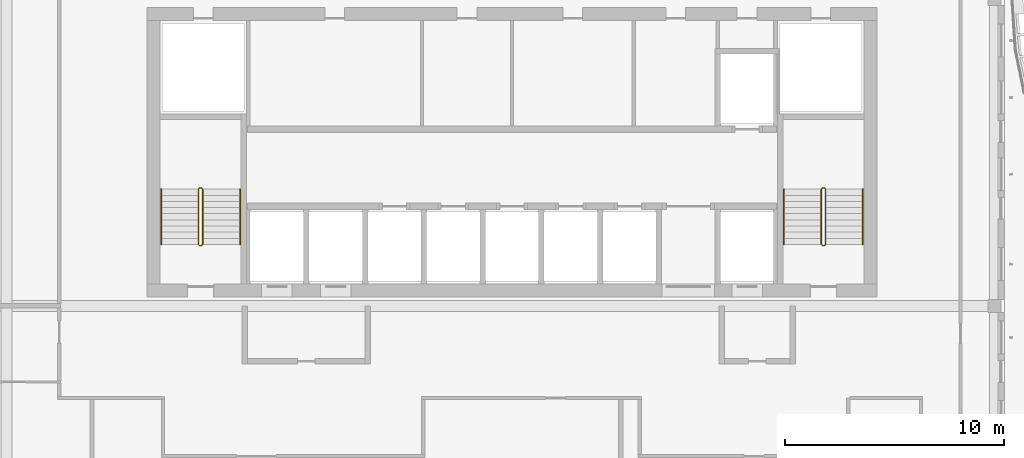
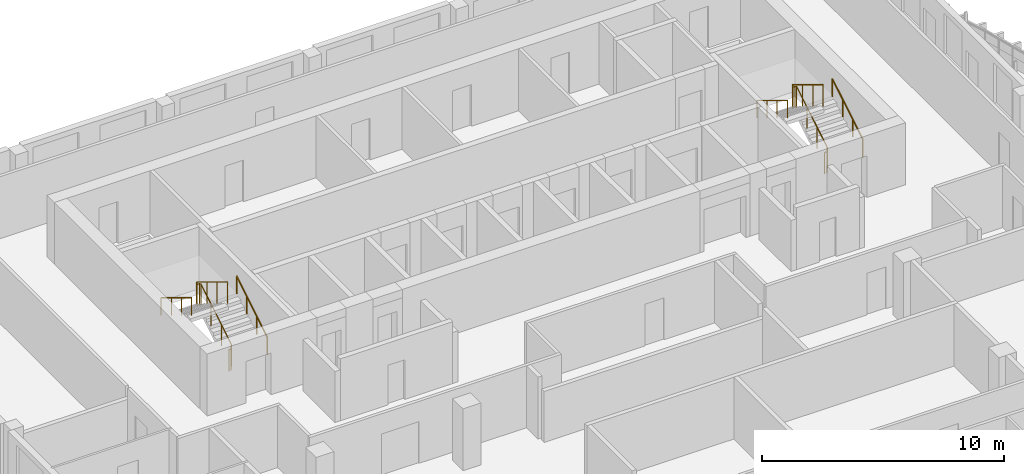
# One storey, part 16 of 17: 6 railings.
"""IFC4 building model written with IfcOpenShell, lengths in metres."""

from ifc_helpers import new_model, si_unit, direction, frame, origin, origin_2d, place, context, subcontext, project, spatial, circle, extrude, material, type_object, element, save


model = new_model("IFC4")

# Units and contexts
model_context = context("Model", 3, precision=1e-05, world=origin(), true_north=direction((0.0, 1.0)))
body_context = subcontext(model_context, "Body", "Model", "MODEL_VIEW")
ifc_project = project(units=[si_unit("LENGTHUNIT", "METRE"), si_unit("AREAUNIT", "SQUARE_METRE"), si_unit("VOLUMEUNIT", "CUBIC_METRE"), si_unit("PLANEANGLEUNIT", "RADIAN"), si_unit("MASSUNIT", "GRAM", prefix="KILO")], contexts=[model_context])

# Site, building, storey
site_placement = place(None, origin())
site = spatial("IfcSite", under=ifc_project, at=site_placement, CompositionType="ELEMENT")
building_placement = place(site_placement, origin())
building = spatial("IfcBuilding", under=site, at=building_placement, Name="Kilnfold Tower and Market Hall", CompositionType="ELEMENT")
storey_placement = place(building_placement, frame((0.0, 0.0, 301.800048828125)))
storey = spatial("IfcBuildingStorey", under=building, at=storey_placement, Name="L75", CompositionType="ELEMENT", Elevation=301.800048828125)

# Railings
ifc_material_1 = material(Name="Stainless steel 316", Category="steel")
railing_type_1 = type_object("IfcRailingType", Name="CORE STAIR GUARD 1100", PredefinedType="GUARDRAIL", material=ifc_material_1)
railing_1_placement = place(storey_placement, frame((-13.199951171875, 10.75, 0.0)))
element("IfcRailing", 1, at=railing_1_placement, inside=storey, type_object=railing_type_1, Name="L75 ST1 stair guard 1", PredefinedType="GUARDRAIL", context=body_context, shape_type="SweptSolid", body=[
    extrude(circle(Radius=0.02392578125, at=origin_2d()), frame((0.0, 0.0, 1.076171875), z_axis=(1.0, 0.0, 0.0), x_axis=(0.0, 1.0, 0.0)), (0.0, 0.0, 1.0), 0.099853515625),
    extrude(circle(Radius=0.02392578125, at=origin_2d()), frame((0.099853515625, 0.0, 1.076171875), z_axis=(0.271895245746, 0.271895245746, 0.923117517265), x_axis=(-0.707106781187, 0.707106781187, 0.0)), (0.0, 0.0, 1.0), 0.18408203125),
    extrude(circle(Radius=0.02392578125, at=origin_2d()), frame((0.14990234375, 0.050048828125, 1.24609375), z_axis=(0.0, 0.85478489116, 0.518982456201), x_axis=(-1.0, 0.0, 0.0)), (0.0, 0.0, 1.0), 2.9482421875),
    extrude(circle(Radius=0.02392578125, at=origin_2d()), frame((0.14990234375, 2.570068359375, 2.77587890625), z_axis=(-0.707106781187, 0.707106781187, 0.0), x_axis=(-0.707106781187, -0.707106781187, 0.0)), (0.0, 0.0, 1.0), 0.07080078125),
    extrude(circle(Radius=0.02392578125, at=origin_2d()), frame((0.099853515625, 2.6201171875, 2.77587890625), z_axis=(-1.0, 0.0, 0.0), x_axis=(0.0, -1.0, 0.0)), (0.0, 0.0, 1.0), 0.099853515625),
    extrude(circle(Radius=0.02392578125, at=origin_2d()), frame((0.0, 2.6201171875, 2.77587890625), z_axis=(-0.271895245746, -0.271895245746, 0.923117517265), x_axis=(0.707106781187, -0.707106781187, 0.0)), (0.0, 0.0, 1.0), 0.18408203125),
    extrude(circle(Radius=0.02392578125, at=origin_2d()), frame((-0.050048828125, 2.570068359375, 2.94580078125), z_axis=(0.0, -0.85478489116, 0.518982456201), x_axis=(1.0, 0.0, 0.0)), (0.0, 0.0, 1.0), 2.9482421875),
    extrude(circle(Radius=0.02099609375, at=origin_2d()), origin(), (0.0, 0.0, 1.0), 1.052001953125),
    extrude(circle(Radius=0.02099609375, at=origin_2d()), frame((0.099853515625, 0.0, 0.0)), (0.0, 0.0, 1.0), 1.052001953125),
    extrude(circle(Radius=0.02099609375, at=origin_2d()), frame((0.14990234375, 0.050048828125, 0.169921875)), (0.0, 0.0, 1.0), 1.052001953125),
    extrude(circle(Radius=0.02099609375, at=origin_2d()), frame((0.14990234375, 0.89013671875, 0.679931640625)), (0.0, 0.0, 1.0), 1.052001953125),
    extrude(circle(Radius=0.02099609375, at=origin_2d()), frame((0.14990234375, 1.72998046875, 1.18994140625)), (0.0, 0.0, 1.0), 1.052001953125),
    extrude(circle(Radius=0.02099609375, at=origin_2d()), frame((0.14990234375, 2.570068359375, 1.699951171875)), (0.0, 0.0, 1.0), 1.052001953125),
    extrude(circle(Radius=0.02099609375, at=origin_2d()), frame((0.099853515625, 2.6201171875, 1.699951171875)), (0.0, 0.0, 1.0), 1.052001953125),
    extrude(circle(Radius=0.02099609375, at=origin_2d()), frame((0.0, 2.6201171875, 1.699951171875)), (0.0, 0.0, 1.0), 1.052001953125),
    extrude(circle(Radius=0.02099609375, at=origin_2d()), frame((-0.050048828125, 2.570068359375, 1.869873046875)), (0.0, 0.0, 1.0), 1.052001953125),
    extrude(circle(Radius=0.02099609375, at=origin_2d()), frame((-0.050048828125, 1.72998046875, 2.3798828125)), (0.0, 0.0, 1.0), 1.052001953125),
    extrude(circle(Radius=0.02099609375, at=origin_2d()), frame((-0.050048828125, 0.89013671875, 2.889892578125)), (0.0, 0.0, 1.0), 1.052001953125),
    extrude(circle(Radius=0.02099609375, at=origin_2d()), frame((-0.050048828125, 0.050048828125, 3.39990234375)), (0.0, 0.0, 1.0), 1.052001953125),
])
railing_2_placement = place(storey_placement, frame((15.199951171875, 10.75, 0.0)))
element("IfcRailing", 2, at=railing_2_placement, inside=storey, type_object=railing_type_1, Name="L75 ST2 stair guard 1", PredefinedType="GUARDRAIL", context=body_context, shape_type="SweptSolid", body=[
    extrude(circle(Radius=0.02392578125, at=origin_2d()), frame((0.0, 0.0, 1.076171875), z_axis=(1.0, 0.0, 0.0), x_axis=(0.0, 1.0, 0.0)), (0.0, 0.0, 1.0), 0.10009765625),
    extrude(circle(Radius=0.02392578125, at=origin_2d()), frame((0.10009765625, 0.0, 1.076171875), z_axis=(0.271895245746, 0.271895245746, 0.923117517265), x_axis=(-0.707106781187, 0.707106781187, 0.0)), (0.0, 0.0, 1.0), 0.18408203125),
    extrude(circle(Radius=0.02392578125, at=origin_2d()), frame((0.150146484375, 0.050048828125, 1.24609375), z_axis=(0.0, 0.85478489116, 0.518982456201), x_axis=(-1.0, 0.0, 0.0)), (0.0, 0.0, 1.0), 2.9482421875),
    extrude(circle(Radius=0.02392578125, at=origin_2d()), frame((0.150146484375, 2.570068359375, 2.77587890625), z_axis=(-0.707106781187, 0.707106781187, 0.0), x_axis=(-0.707106781187, -0.707106781187, 0.0)), (0.0, 0.0, 1.0), 0.07080078125),
    extrude(circle(Radius=0.02392578125, at=origin_2d()), frame((0.10009765625, 2.6201171875, 2.77587890625), z_axis=(-1.0, 0.0, 0.0), x_axis=(0.0, -1.0, 0.0)), (0.0, 0.0, 1.0), 0.10009765625),
    extrude(circle(Radius=0.02392578125, at=origin_2d()), frame((0.0, 2.6201171875, 2.77587890625), z_axis=(-0.271895245746, -0.271895245746, 0.923117517265), x_axis=(0.707106781187, -0.707106781187, 0.0)), (0.0, 0.0, 1.0), 0.18408203125),
    extrude(circle(Radius=0.02392578125, at=origin_2d()), frame((-0.050048828125, 2.570068359375, 2.94580078125), z_axis=(0.0, -0.85478489116, 0.518982456201), x_axis=(1.0, 0.0, 0.0)), (0.0, 0.0, 1.0), 2.9482421875),
    extrude(circle(Radius=0.02099609375, at=origin_2d()), origin(), (0.0, 0.0, 1.0), 1.052001953125),
    extrude(circle(Radius=0.02099609375, at=origin_2d()), frame((0.10009765625, 0.0, 0.0)), (0.0, 0.0, 1.0), 1.052001953125),
    extrude(circle(Radius=0.02099609375, at=origin_2d()), frame((0.150146484375, 0.050048828125, 0.169921875)), (0.0, 0.0, 1.0), 1.052001953125),
    extrude(circle(Radius=0.02099609375, at=origin_2d()), frame((0.150146484375, 0.89013671875, 0.679931640625)), (0.0, 0.0, 1.0), 1.052001953125),
    extrude(circle(Radius=0.02099609375, at=origin_2d()), frame((0.150146484375, 1.72998046875, 1.18994140625)), (0.0, 0.0, 1.0), 1.052001953125),
    extrude(circle(Radius=0.02099609375, at=origin_2d()), frame((0.150146484375, 2.570068359375, 1.699951171875)), (0.0, 0.0, 1.0), 1.052001953125),
    extrude(circle(Radius=0.02099609375, at=origin_2d()), frame((0.10009765625, 2.6201171875, 1.699951171875)), (0.0, 0.0, 1.0), 1.052001953125),
    extrude(circle(Radius=0.02099609375, at=origin_2d()), frame((0.0, 2.6201171875, 1.699951171875)), (0.0, 0.0, 1.0), 1.052001953125),
    extrude(circle(Radius=0.02099609375, at=origin_2d()), frame((-0.050048828125, 2.570068359375, 1.869873046875)), (0.0, 0.0, 1.0), 1.052001953125),
    extrude(circle(Radius=0.02099609375, at=origin_2d()), frame((-0.050048828125, 1.72998046875, 2.3798828125)), (0.0, 0.0, 1.0), 1.052001953125),
    extrude(circle(Radius=0.02099609375, at=origin_2d()), frame((-0.050048828125, 0.89013671875, 2.889892578125)), (0.0, 0.0, 1.0), 1.052001953125),
    extrude(circle(Radius=0.02099609375, at=origin_2d()), frame((-0.050048828125, 0.050048828125, 3.39990234375)), (0.0, 0.0, 1.0), 1.052001953125),
])
ifc_material_2 = material(Name="Stainless steel 316", Category="steel")
railing_type_2 = type_object("IfcRailingType", Name="CORE STAIR HANDRAIL 900", PredefinedType="HANDRAIL", material=ifc_material_2)
railing_3_placement = place(storey_placement, frame((-11.35009765625, 10.800048828125, 0.169921875)))
element("IfcRailing", 3, at=railing_3_placement, inside=storey, type_object=railing_type_2, Name="L75 ST1 stair handrail 1", PredefinedType="HANDRAIL", context=body_context, shape_type="SweptSolid", body=[
    extrude(circle(Radius=0.02392578125, at=origin_2d()), frame((0.0, 0.0, 0.8759765625), z_axis=(0.0, 0.85478489116, 0.518982456201), x_axis=(-1.0, 0.0, 0.0)), (0.0, 0.0, 1.0), 2.9482421875),
    extrude(circle(Radius=0.02099609375, at=origin_2d()), origin(), (0.0, 0.0, 1.0), 0.851806640625),
    extrude(circle(Radius=0.02099609375, at=origin_2d()), frame((0.0, 0.840087890625, 0.510009765625)), (0.0, 0.0, 1.0), 0.851806640625),
    extrude(circle(Radius=0.02099609375, at=origin_2d()), frame((0.0, 1.679931640625, 1.02001953125)), (0.0, 0.0, 1.0), 0.851806640625),
    extrude(circle(Radius=0.02099609375, at=origin_2d()), frame((0.0, 2.52001953125, 1.530029296875)), (0.0, 0.0, 1.0), 0.851806640625),
])
railing_4_placement = place(storey_placement, frame((-14.949951171875, 13.320068359375, 1.869873046875)))
element("IfcRailing", 4, at=railing_4_placement, inside=storey, type_object=railing_type_2, Name="L75 ST1 stair handrail 2", PredefinedType="HANDRAIL", context=body_context, shape_type="SweptSolid", body=[
    extrude(circle(Radius=0.02392578125, at=origin_2d()), frame((0.0, 0.0, 0.8759765625), z_axis=(0.0, -0.85478489116, 0.518982456201), x_axis=(1.0, 0.0, 0.0)), (0.0, 0.0, 1.0), 2.9482421875),
    extrude(circle(Radius=0.02099609375, at=origin_2d()), origin(), (0.0, 0.0, 1.0), 0.851806640625),
    extrude(circle(Radius=0.02099609375, at=origin_2d()), frame((0.0, -0.840087890625, 0.510009765625)), (0.0, 0.0, 1.0), 0.851806640625),
    extrude(circle(Radius=0.02099609375, at=origin_2d()), frame((0.0, -1.679931640625, 1.02001953125)), (0.0, 0.0, 1.0), 0.851806640625),
    extrude(circle(Radius=0.02099609375, at=origin_2d()), frame((0.0, -2.52001953125, 1.530029296875)), (0.0, 0.0, 1.0), 0.851806640625),
])
railing_5_placement = place(storey_placement, frame((17.050048828125, 10.800048828125, 0.169921875)))
element("IfcRailing", 5, at=railing_5_placement, inside=storey, type_object=railing_type_2, Name="L75 ST2 stair handrail 1", PredefinedType="HANDRAIL", context=body_context, shape_type="SweptSolid", body=[
    extrude(circle(Radius=0.02392578125, at=origin_2d()), frame((0.0, 0.0, 0.8759765625), z_axis=(0.0, 0.85478489116, 0.518982456201), x_axis=(-1.0, 0.0, 0.0)), (0.0, 0.0, 1.0), 2.9482421875),
    extrude(circle(Radius=0.02099609375, at=origin_2d()), origin(), (0.0, 0.0, 1.0), 0.851806640625),
    extrude(circle(Radius=0.02099609375, at=origin_2d()), frame((0.0, 0.840087890625, 0.510009765625)), (0.0, 0.0, 1.0), 0.851806640625),
    extrude(circle(Radius=0.02099609375, at=origin_2d()), frame((0.0, 1.679931640625, 1.02001953125)), (0.0, 0.0, 1.0), 0.851806640625),
    extrude(circle(Radius=0.02099609375, at=origin_2d()), frame((0.0, 2.52001953125, 1.530029296875)), (0.0, 0.0, 1.0), 0.851806640625),
])
railing_6_placement = place(storey_placement, frame((13.449951171875, 13.320068359375, 1.869873046875)))
element("IfcRailing", 6, at=railing_6_placement, inside=storey, type_object=railing_type_2, Name="L75 ST2 stair handrail 2", PredefinedType="HANDRAIL", context=body_context, shape_type="SweptSolid", body=[
    extrude(circle(Radius=0.02392578125, at=origin_2d()), frame((0.0, 0.0, 0.8759765625), z_axis=(0.0, -0.85478489116, 0.518982456201), x_axis=(1.0, 0.0, 0.0)), (0.0, 0.0, 1.0), 2.9482421875),
    extrude(circle(Radius=0.02099609375, at=origin_2d()), origin(), (0.0, 0.0, 1.0), 0.851806640625),
    extrude(circle(Radius=0.02099609375, at=origin_2d()), frame((0.0, -0.840087890625, 0.510009765625)), (0.0, 0.0, 1.0), 0.851806640625),
    extrude(circle(Radius=0.02099609375, at=origin_2d()), frame((0.0, -1.679931640625, 1.02001953125)), (0.0, 0.0, 1.0), 0.851806640625),
    extrude(circle(Radius=0.02099609375, at=origin_2d()), frame((0.0, -2.52001953125, 1.530029296875)), (0.0, 0.0, 1.0), 0.851806640625),
])

save(model, "model.ifc")
